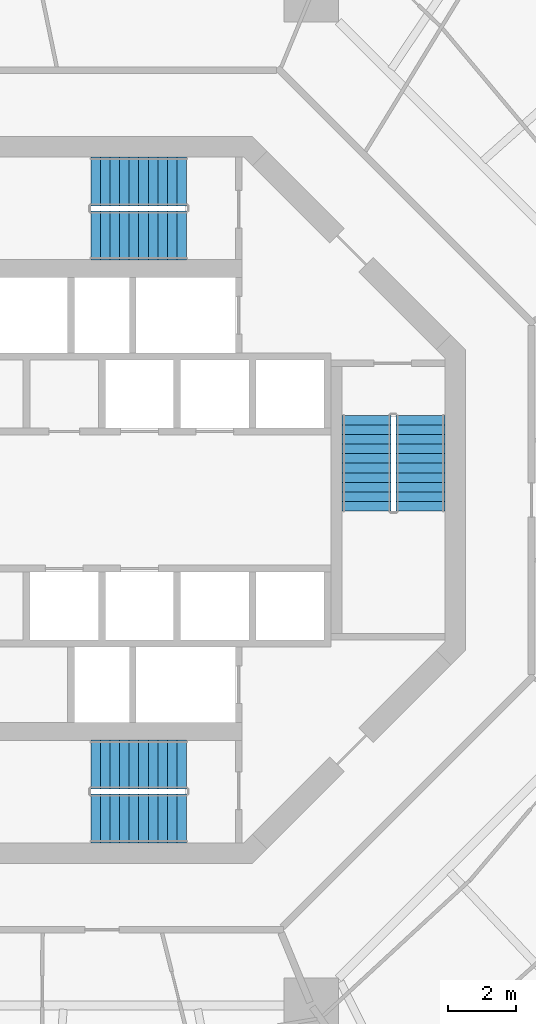
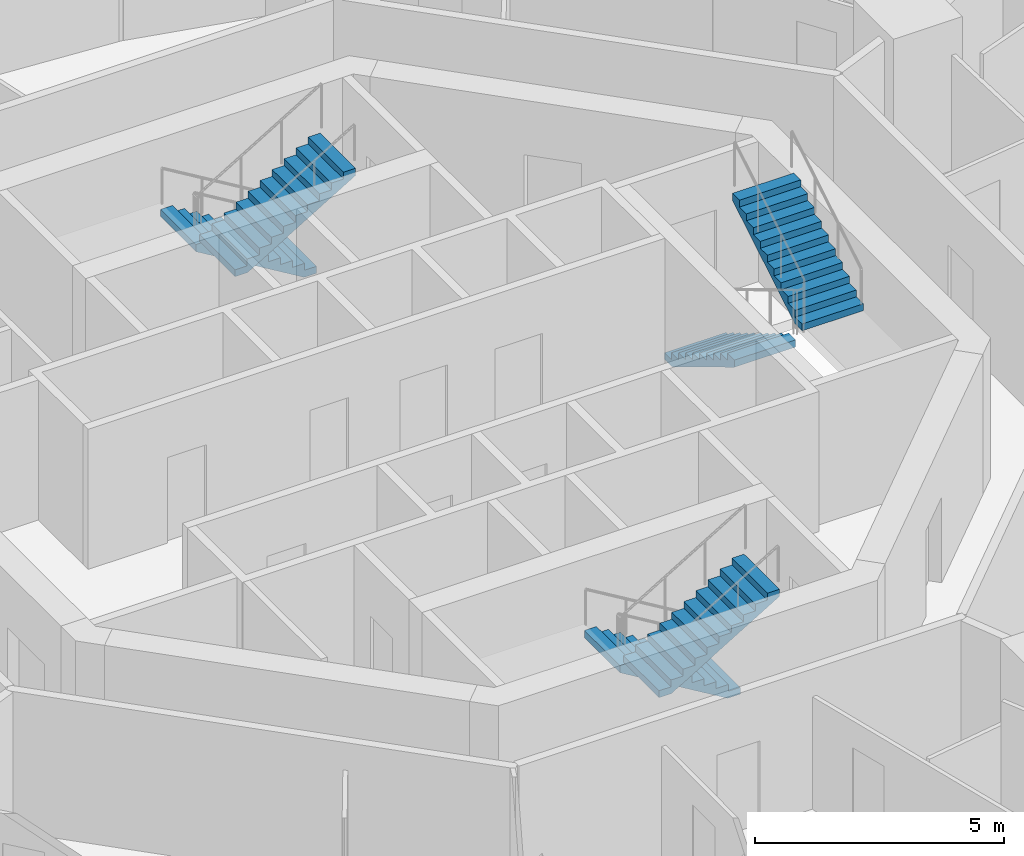
# One storey, part 15 of 18: 6 stair flights, 3 elements without a shape of their own.
"""IFC4 building model written with IfcOpenShell, lengths in metres."""

from ifc_helpers import new_model, si_unit, direction, frame, origin, place, context, subcontext, project, spatial, polyline, outline, extrude, material, type_object, element, aggregate, save


model = new_model("IFC4")

# Units and contexts
model_context = context("Model", 3, precision=1e-05, world=origin(), true_north=direction((0.0, 1.0)))
body_context = subcontext(model_context, "Body", "Model", "MODEL_VIEW")
ifc_project = project(units=[si_unit("LENGTHUNIT", "METRE"), si_unit("AREAUNIT", "SQUARE_METRE"), si_unit("VOLUMEUNIT", "CUBIC_METRE"), si_unit("PLANEANGLEUNIT", "RADIAN"), si_unit("MASSUNIT", "GRAM", prefix="KILO")], contexts=[model_context])

# Site, building, storey
site_placement = place(None, origin())
site = spatial("IfcSite", under=ifc_project, at=site_placement, CompositionType="ELEMENT")
building_placement = place(site_placement, origin())
building = spatial("IfcBuilding", under=site, at=building_placement, Name="Nagisa Residences", CompositionType="ELEMENT")
storey_placement = place(building_placement, frame((0.0, 0.0, 219.60009765625)))
storey = spatial("IfcBuildingStorey", under=building, at=storey_placement, Name="L55", CompositionType="ELEMENT", Elevation=219.60009765625)

# Stair, stair flights
ifc_material_1 = material(Name="Concrete C60", Category="concrete")
stair_type = type_object("IfcStairType", Name="Exit stair", PredefinedType="HALF_TURN_STAIR", material=ifc_material_1)
stair_1_placement = place(storey_placement, origin())
stair_1 = element("IfcStair", 1, at=stair_1_placement, inside=storey, type_object=stair_type, Name="L55 Exit stair E", PredefinedType="HALF_TURN_STAIR")
ifc_material_2 = material(Name="Concrete C60", Category="concrete")
stair_flight_type = type_object("IfcStairFlightType", Name="Exit stair flight", PredefinedType="STRAIGHT", material=ifc_material_2)
stair_flight_1_placement = place(storey_placement, frame((7.737060546875, 2.47509765625, 0.0), z_axis=(0.0, 0.0, 1.0), x_axis=(0.0, -1.0, 0.0)))
stair_flight_1 = element("IfcStairFlight", 2, at=stair_flight_1_placement, type_object=stair_flight_type, Name="ST-E flight 1", NumberOfRisers=11, NumberOfTreads=10, PredefinedType="STRAIGHT", RiserHeight=0.168181818, TreadLength=0.28, context=body_context, shape_type="SweptSolid", body=[
    extrude(outline(polyline([(0.0, 0.0), (0.0, 0.168212890625), (0.280029296875, 0.168212890625), (0.280029296875, 0.33642578125), (0.56005859375, 0.33642578125), (0.56005859375, 0.504638671875), (0.840087890625, 0.504638671875), (0.840087890625, 0.672607421875), (1.1201171875, 0.672607421875), (1.1201171875, 0.8408203125), (1.39990234375, 0.8408203125), (1.39990234375, 1.009033203125), (1.679931640625, 1.009033203125), (1.679931640625, 1.17724609375), (1.9599609375, 1.17724609375), (1.9599609375, 1.345458984375), (2.239990234375, 1.345458984375), (2.239990234375, 1.513671875), (2.52001953125, 1.513671875), (2.52001953125, 1.681884765625), (2.800048828125, 1.681884765625), (2.800048828125, 1.85009765625), (2.800048828125, 1.5068359375), (0.291015625, 0.0), (0.0, 0.0)])), frame((0.0, 0.71240234375, 0.0), z_axis=(0.0, -1.0, 0.0), x_axis=(1.0, 0.0, 0.0)), (0.0, 0.0, 1.0), 1.425048828125),
])
stair_flight_2_placement = place(storey_placement, frame((9.31201171875, -0.324951171875, 1.849853515625), z_axis=(0.0, 0.0, 1.0), x_axis=(0.0, 1.0, 0.0)))
stair_flight_2 = element("IfcStairFlight", 3, at=stair_flight_2_placement, type_object=stair_flight_type, Name="ST-E flight 2", NumberOfRisers=11, NumberOfTreads=10, PredefinedType="STRAIGHT", RiserHeight=0.168181818, TreadLength=0.28, context=body_context, shape_type="SweptSolid", body=[
    extrude(outline(polyline([(0.0, 0.0), (0.0, 0.168212890625), (0.280029296875, 0.168212890625), (0.280029296875, 0.33642578125), (0.56005859375, 0.33642578125), (0.56005859375, 0.504638671875), (0.840087890625, 0.504638671875), (0.840087890625, 0.672607421875), (1.1201171875, 0.672607421875), (1.1201171875, 0.8408203125), (1.39990234375, 0.8408203125), (1.39990234375, 1.009033203125), (1.679931640625, 1.009033203125), (1.679931640625, 1.17724609375), (1.9599609375, 1.17724609375), (1.9599609375, 1.345458984375), (2.239990234375, 1.345458984375), (2.239990234375, 1.513671875), (2.52001953125, 1.513671875), (2.52001953125, 1.681884765625), (2.800048828125, 1.681884765625), (2.800048828125, 1.85009765625), (2.800048828125, 1.5068359375), (0.291015625, 0.0), (0.0, 0.0)])), frame((0.0, 0.71240234375, 0.0), z_axis=(0.0, -1.0, 0.0), x_axis=(1.0, 0.0, 0.0)), (0.0, 0.0, 1.0), 1.425048828125),
])
aggregate(stair_1, [stair_flight_1, stair_flight_2])

stair_2_placement = place(storey_placement, origin())
stair_2 = element("IfcStair", 4, at=stair_2_placement, inside=storey, type_object=stair_type, Name="L55 Exit stair N", PredefinedType="HALF_TURN_STAIR")
stair_flight_3_placement = place(storey_placement, frame((2.47509765625, 9.31201171875, 0.0), z_axis=(0.0, 0.0, 1.0), x_axis=(-1.0, 0.0, 0.0)))
stair_flight_3 = element("IfcStairFlight", 5, at=stair_flight_3_placement, type_object=stair_flight_type, Name="ST-N flight 1", NumberOfRisers=11, NumberOfTreads=10, PredefinedType="STRAIGHT", RiserHeight=0.168181818, TreadLength=0.28, context=body_context, shape_type="SweptSolid", body=[
    extrude(outline(polyline([(0.0, 0.0), (0.0, 0.168212890625), (0.280029296875, 0.168212890625), (0.280029296875, 0.33642578125), (0.56005859375, 0.33642578125), (0.56005859375, 0.504638671875), (0.840087890625, 0.504638671875), (0.840087890625, 0.672607421875), (1.1201171875, 0.672607421875), (1.1201171875, 0.8408203125), (1.39990234375, 0.8408203125), (1.39990234375, 1.009033203125), (1.679931640625, 1.009033203125), (1.679931640625, 1.17724609375), (1.9599609375, 1.17724609375), (1.9599609375, 1.345458984375), (2.239990234375, 1.345458984375), (2.239990234375, 1.513671875), (2.52001953125, 1.513671875), (2.52001953125, 1.681884765625), (2.800048828125, 1.681884765625), (2.800048828125, 1.85009765625), (2.800048828125, 1.5068359375), (0.291015625, 0.0), (0.0, 0.0)])), frame((0.0, 0.71240234375, 0.0), z_axis=(0.0, -1.0, 0.0), x_axis=(1.0, 0.0, 0.0)), (0.0, 0.0, 1.0), 1.425048828125),
])
stair_flight_4_placement = place(storey_placement, frame((-0.324951171875, 7.737060546875, 1.849853515625), z_axis=(0.0, 0.0, 1.0), x_axis=(1.0, 0.0, 0.0)))
stair_flight_4 = element("IfcStairFlight", 6, at=stair_flight_4_placement, type_object=stair_flight_type, Name="ST-N flight 2", NumberOfRisers=11, NumberOfTreads=10, PredefinedType="STRAIGHT", RiserHeight=0.168181818, TreadLength=0.28, context=body_context, shape_type="SweptSolid", body=[
    extrude(outline(polyline([(0.0, 0.0), (0.0, 0.168212890625), (0.280029296875, 0.168212890625), (0.280029296875, 0.33642578125), (0.56005859375, 0.33642578125), (0.56005859375, 0.504638671875), (0.840087890625, 0.504638671875), (0.840087890625, 0.672607421875), (1.1201171875, 0.672607421875), (1.1201171875, 0.8408203125), (1.39990234375, 0.8408203125), (1.39990234375, 1.009033203125), (1.679931640625, 1.009033203125), (1.679931640625, 1.17724609375), (1.9599609375, 1.17724609375), (1.9599609375, 1.345458984375), (2.239990234375, 1.345458984375), (2.239990234375, 1.513671875), (2.52001953125, 1.513671875), (2.52001953125, 1.681884765625), (2.800048828125, 1.681884765625), (2.800048828125, 1.85009765625), (2.800048828125, 1.5068359375), (0.291015625, 0.0), (0.0, 0.0)])), frame((0.0, 0.71240234375, 0.0), z_axis=(0.0, -1.0, 0.0), x_axis=(1.0, 0.0, 0.0)), (0.0, 0.0, 1.0), 1.425048828125),
])
aggregate(stair_2, [stair_flight_3, stair_flight_4])

stair_3_placement = place(storey_placement, origin())
stair_3 = element("IfcStair", 7, at=stair_3_placement, inside=storey, type_object=stair_type, Name="L55 Exit stair S", PredefinedType="HALF_TURN_STAIR")
stair_flight_5_placement = place(storey_placement, frame((2.47509765625, -7.737060546875, 0.0), z_axis=(0.0, 0.0, 1.0), x_axis=(-1.0, 0.0, 0.0)))
stair_flight_5 = element("IfcStairFlight", 8, at=stair_flight_5_placement, type_object=stair_flight_type, Name="ST-S flight 1", NumberOfRisers=11, NumberOfTreads=10, PredefinedType="STRAIGHT", RiserHeight=0.168181818, TreadLength=0.28, context=body_context, shape_type="SweptSolid", body=[
    extrude(outline(polyline([(0.0, 0.0), (0.0, 0.168212890625), (0.280029296875, 0.168212890625), (0.280029296875, 0.33642578125), (0.56005859375, 0.33642578125), (0.56005859375, 0.504638671875), (0.840087890625, 0.504638671875), (0.840087890625, 0.672607421875), (1.1201171875, 0.672607421875), (1.1201171875, 0.8408203125), (1.39990234375, 0.8408203125), (1.39990234375, 1.009033203125), (1.679931640625, 1.009033203125), (1.679931640625, 1.17724609375), (1.9599609375, 1.17724609375), (1.9599609375, 1.345458984375), (2.239990234375, 1.345458984375), (2.239990234375, 1.513671875), (2.52001953125, 1.513671875), (2.52001953125, 1.681884765625), (2.800048828125, 1.681884765625), (2.800048828125, 1.85009765625), (2.800048828125, 1.5068359375), (0.291015625, 0.0), (0.0, 0.0)])), frame((0.0, 0.71240234375, 0.0), z_axis=(0.0, -1.0, 0.0), x_axis=(1.0, 0.0, 0.0)), (0.0, 0.0, 1.0), 1.425048828125),
])
stair_flight_6_placement = place(storey_placement, frame((-0.324951171875, -9.31201171875, 1.849853515625), z_axis=(0.0, 0.0, 1.0), x_axis=(1.0, 0.0, 0.0)))
stair_flight_6 = element("IfcStairFlight", 9, at=stair_flight_6_placement, type_object=stair_flight_type, Name="ST-S flight 2", NumberOfRisers=11, NumberOfTreads=10, PredefinedType="STRAIGHT", RiserHeight=0.168181818, TreadLength=0.28, context=body_context, shape_type="SweptSolid", body=[
    extrude(outline(polyline([(0.0, 0.0), (0.0, 0.168212890625), (0.280029296875, 0.168212890625), (0.280029296875, 0.33642578125), (0.56005859375, 0.33642578125), (0.56005859375, 0.504638671875), (0.840087890625, 0.504638671875), (0.840087890625, 0.672607421875), (1.1201171875, 0.672607421875), (1.1201171875, 0.8408203125), (1.39990234375, 0.8408203125), (1.39990234375, 1.009033203125), (1.679931640625, 1.009033203125), (1.679931640625, 1.17724609375), (1.9599609375, 1.17724609375), (1.9599609375, 1.345458984375), (2.239990234375, 1.345458984375), (2.239990234375, 1.513671875), (2.52001953125, 1.513671875), (2.52001953125, 1.681884765625), (2.800048828125, 1.681884765625), (2.800048828125, 1.85009765625), (2.800048828125, 1.5068359375), (0.291015625, 0.0), (0.0, 0.0)])), frame((0.0, 0.71240234375, 0.0), z_axis=(0.0, -1.0, 0.0), x_axis=(1.0, 0.0, 0.0)), (0.0, 0.0, 1.0), 1.425048828125),
])
aggregate(stair_3, [stair_flight_5, stair_flight_6])

save(model, "model.ifc")
